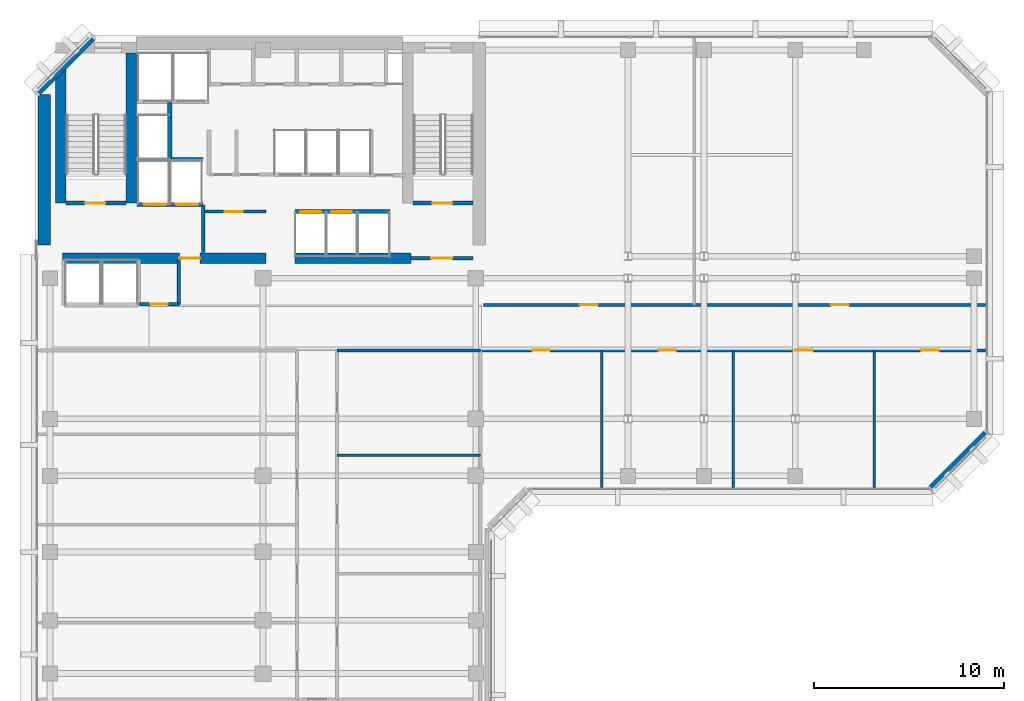
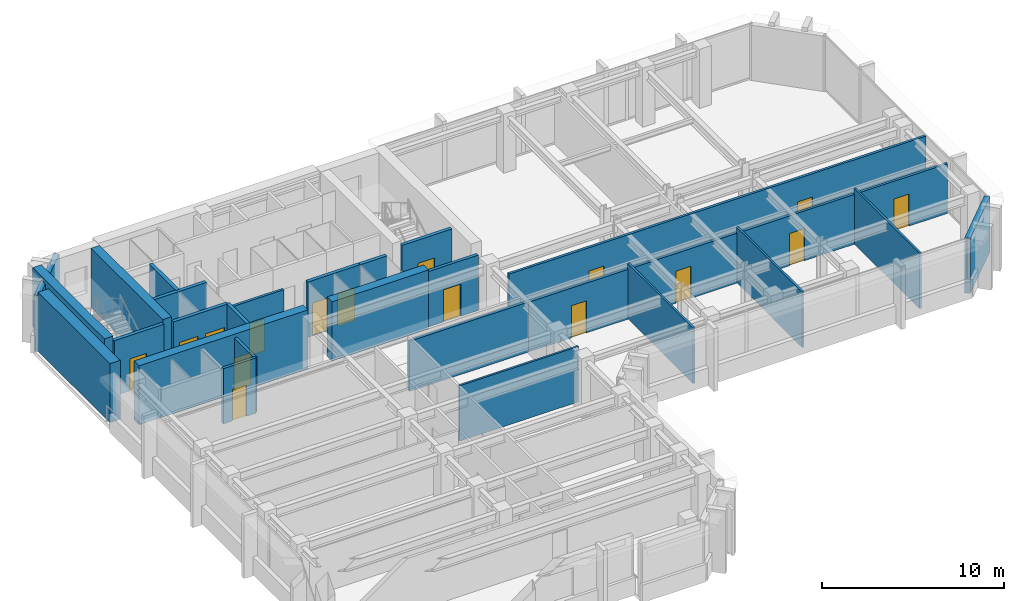
# One storey, part 7 of 12: 26 walls, 16 doors, 16 openings.
"""IFC4 building model written with IfcOpenShell, lengths in metres."""

from ifc_helpers import new_model, si_unit, direction, frame, frame_2d, origin, place, context, subcontext, project, spatial, rectangle, extrude, material, layer, layer_set, type_object, element, fill, save


model = new_model("IFC4")

# Units and contexts
model_context = context("Model", 3, precision=1e-05, world=origin(), true_north=direction((0.0, 1.0)))
body_context = subcontext(model_context, "Body", "Model", "MODEL_VIEW")
ifc_project = project(units=[si_unit("LENGTHUNIT", "METRE"), si_unit("AREAUNIT", "SQUARE_METRE"), si_unit("VOLUMEUNIT", "CUBIC_METRE"), si_unit("PLANEANGLEUNIT", "RADIAN"), si_unit("MASSUNIT", "GRAM", prefix="KILO")], contexts=[model_context])

# Site, building, storey
site_placement = place(None, origin())
site = spatial("IfcSite", under=ifc_project, at=site_placement, CompositionType="ELEMENT")
building_placement = place(site_placement, origin())
building = spatial("IfcBuilding", under=site, at=building_placement, Name="Kefirva Bronze Tower", CompositionType="ELEMENT")
storey_placement = place(building_placement, frame((0.0, 0.0, 211.199951171875)))
storey = spatial("IfcBuildingStorey", under=building, at=storey_placement, Name="L51", CompositionType="ELEMENT", Elevation=211.199951171875)

# Walls
ifc_material_1 = material(Name="Gypsum acoustic partition")
ifc_layer_1 = layer(ifc_material_1, 0.1298828125, Name="Gypsum acoustic partition")
ifc_layer_set_1 = layer_set([ifc_layer_1], Name="Gypsum acoustic partition")
wall_type_1 = type_object("IfcWallType", Name="Acoustic Office Partition 130mm", PredefinedType="PARTITIONING", material=ifc_layer_set_1)
wall_1_placement = place(storey_placement, frame((15.89990234375, 23.89208984375, 0.0), z_axis=(0.0, 0.0, 1.0), x_axis=(1.0, 0.0, 0.0)))
element("IfcWall", 1, at=wall_1_placement, inside=storey, type_object=wall_type_1, Name="L51 Partition W-L51-SED2", PredefinedType="PARTITIONING", context=body_context, shape_type="SweptSolid", body=[
    extrude(rectangle(XDim=7.550048828125, YDim=0.1298828125, at=frame_2d((3.77490234375, 0.0))), origin(), (0.0, 0.0, 1.0), 3.7099609375),
])
for number, where, z_axis, x_axis, name in (
    (2, (29.824462890625, 22.18994140625, 0.0), (0.0, 0.0, 1.0), (0.0, 1.0, 0.0), "L51 Partition W-L51-ESD1"),
    (3, (36.72998046875, 22.18994140625, 0.0), (0.0, 0.0, 1.0), (0.0, 1.0, 0.0), "L51 Partition W-L51-ESD2"),
    (4, (44.166748046875, 22.18994140625, 0.0), (0.0, 0.0, 1.0), (0.0, 1.0, 0.0), "L51 Partition W-L51-ESD3"),
):
    element("IfcWall", number, at=place(storey_placement, frame(where, z_axis=z_axis, x_axis=x_axis)), inside=storey, type_object=wall_type_1, Name=name, PredefinedType="PARTITIONING", context=body_context, shape_type="SweptSolid", body=[
        extrude(rectangle(XDim=7.2099609375, YDim=0.1298828125, at=frame_2d((3.60498046875, 0.0))), origin(), (0.0, 0.0, 1.0), 3.7099609375),
    ])

# Wall, opening, door
ifc_material_2 = material(Name="Gypsum fireboard shaftwall")
ifc_layer_2 = layer(ifc_material_2, 0.219970703125, Name="Gypsum fireboard shaftwall")
ifc_layer_set_2 = layer_set([ifc_layer_2], Name="Gypsum fireboard shaftwall")
wall_type_2 = type_object("IfcWallType", Name="Fire-Rated Shaft Enclosure Wall 220mm", PredefinedType="PARTITIONING", material=ifc_layer_set_2)
wall_2_placement = place(storey_placement, frame((1.64990234375, 37.14990234375, 0.0), z_axis=(0.0, 0.0, 1.0), x_axis=(1.0, 0.0, 0.0)))
wall_2 = element("IfcWall", 5, at=wall_2_placement, inside=storey, type_object=wall_type_2, Name="L51 Partition W-L51-ST1S", PredefinedType="PARTITIONING", context=body_context, shape_type="SweptSolid", body=[
    extrude(rectangle(XDim=3.150146484375, YDim=0.219970703125, at=frame_2d((1.5751953125, 0.0))), origin(), (0.0, 0.0, 1.0), 3.7099609375),
])
opening_1_placement = place(wall_2_placement, frame((2.050048828125, 0.0, 0.0), z_axis=(0.0, 0.0, 1.0), x_axis=(-1.0, 0.0, 0.0)))
opening_1 = element("IfcOpeningElement", 6, at=opening_1_placement, cuts=wall_2, Name="Opening L51-D001", PredefinedType="OPENING", context=body_context, shape_type="SweptSolid", body=[
    extrude(rectangle(XDim=1.050048828125, YDim=2.14990234375, at=frame_2d((0.52490234375, 1.074951171875))), frame((0.0, 0.1201171875, 0.0), z_axis=(0.0, -1.0, 0.0), x_axis=(1.0, 0.0, 0.0)), (0.0, 0.0, 1.0), 0.239990234375),
])
ifc_material_3 = material(Name="Painted galvanized steel", Category="steel")
door_type_1 = type_object("IfcDoorType", Name="Fire Stair Enclosure Door 1050x2150 FD90S", OperationType="NOTDEFINED", PredefinedType="DOOR", material=ifc_material_3)
door_1_placement = place(opening_1_placement, origin())
door_1 = element("IfcDoor", 7, at=door_1_placement, inside=storey, type_object=door_type_1, Name="Door L51-D001", OperationType="SINGLE_SWING_LEFT", OverallHeight=2.14990234375, OverallWidth=1.050048828125, PredefinedType="DOOR", context=body_context, shape_type="SweptSolid", body=[
    extrude(rectangle(XDim=1.050048828125, YDim=2.14990234375, at=frame_2d((0.52490234375, 1.074951171875))), frame((0.0, 0.02490234375, 0.0), z_axis=(0.0, -1.0, 0.0), x_axis=(1.0, 0.0, 0.0)), (0.0, 0.0, 1.0), 0.050048828125),
])
fill(opening_1, door_1)

wall_3_placement = place(storey_placement, frame((19.89990234375, 37.14990234375, 0.0), z_axis=(0.0, 0.0, 1.0), x_axis=(1.0, 0.0, 0.0)))
wall_3 = element("IfcWall", 8, at=wall_3_placement, inside=storey, type_object=wall_type_2, Name="L51 Partition W-L51-ST2S", PredefinedType="PARTITIONING", context=body_context, shape_type="SweptSolid", body=[
    extrude(rectangle(XDim=3.150146484375, YDim=0.219970703125, at=frame_2d((1.5751953125, 0.0))), origin(), (0.0, 0.0, 1.0), 3.7099609375),
])
opening_2_placement = place(wall_3_placement, frame((2.050048828125, 0.0, 0.0), z_axis=(0.0, 0.0, 1.0), x_axis=(-1.0, 0.0, 0.0)))
opening_2 = element("IfcOpeningElement", 9, at=opening_2_placement, cuts=wall_3, Name="Opening L51-D003", PredefinedType="OPENING", context=body_context, shape_type="SweptSolid", body=[
    extrude(rectangle(XDim=1.050048828125, YDim=2.14990234375, at=frame_2d((0.52490234375, 1.074951171875))), frame((0.0, 0.1201171875, 0.0), z_axis=(0.0, -1.0, 0.0), x_axis=(1.0, 0.0, 0.0)), (0.0, 0.0, 1.0), 0.239990234375),
])
door_2_placement = place(opening_2_placement, origin())
door_2 = element("IfcDoor", 10, at=door_2_placement, inside=storey, type_object=door_type_1, Name="Door L51-D003", OperationType="SINGLE_SWING_LEFT", OverallHeight=2.14990234375, OverallWidth=1.050048828125, PredefinedType="DOOR", context=body_context, shape_type="SweptSolid", body=[
    extrude(rectangle(XDim=1.050048828125, YDim=2.14990234375, at=frame_2d((0.52490234375, 1.074951171875))), frame((0.0, 0.02490234375, 0.0), z_axis=(0.0, -1.0, 0.0), x_axis=(1.0, 0.0, 0.0)), (0.0, 0.0, 1.0), 0.050048828125),
])
fill(opening_2, door_2)

# Wall, openings, doors
wall_4_placement = place(storey_placement, frame((5.3798828125, 37.080078125, 0.0), z_axis=(0.0, 0.0, 1.0), x_axis=(1.0, 0.0, 0.0)))
wall_4 = element("IfcWall", 11, at=wall_4_placement, inside=storey, type_object=wall_type_2, Name="L51 Partition W-L51-FFS", PredefinedType="PARTITIONING", context=body_context, shape_type="SweptSolid", body=[
    extrude(rectangle(XDim=3.460205078125, YDim=0.219970703125, at=frame_2d((1.72998046875, 0.0))), origin(), (0.0, 0.0, 1.0), 3.7099609375),
])
opening_3_placement = place(wall_4_placement, frame((1.550048828125, 0.0, 0.0), z_axis=(0.0, 0.0, 1.0), x_axis=(-1.0, 0.0, 0.0)))
opening_3 = element("IfcOpeningElement", 12, at=opening_3_placement, cuts=wall_4, Name="Opening L51-LD-FF1", PredefinedType="OPENING", context=body_context, shape_type="SweptSolid", body=[
    extrude(rectangle(XDim=1.199951171875, YDim=2.199951171875, at=frame_2d((0.60009765625, 1.10009765625))), frame((0.0, 0.1201171875, 0.0), z_axis=(0.0, -1.0, 0.0), x_axis=(1.0, 0.0, 0.0)), (0.0, 0.0, 1.0), 0.239990234375),
])
opening_4_placement = place(wall_4_placement, frame((3.219970703125, 0.0, 0.0), z_axis=(0.0, 0.0, 1.0), x_axis=(-1.0, 0.0, 0.0)))
opening_4 = element("IfcOpeningElement", 13, at=opening_4_placement, cuts=wall_4, Name="Opening L51-LD-FF2", PredefinedType="OPENING", context=body_context, shape_type="SweptSolid", body=[
    extrude(rectangle(XDim=1.199951171875, YDim=2.199951171875, at=frame_2d((0.60009765625, 1.10009765625))), frame((0.0, 0.1201171875, 0.0), z_axis=(0.0, -1.0, 0.0), x_axis=(1.0, 0.0, 0.0)), (0.0, 0.0, 1.0), 0.239990234375),
])
ifc_material_4 = material(Name="Stainless steel 316", Category="steel")
door_type_2 = type_object("IfcDoorType", Name="Firefighting Lift Sliding Door 1200x2200", OperationType="SLIDING_TO_RIGHT", PredefinedType="DOOR", material=ifc_material_4)
door_3_placement = place(opening_3_placement, origin())
door_3 = element("IfcDoor", 14, at=door_3_placement, inside=storey, type_object=door_type_2, Name="Door L51-LD-FF1", OperationType="SLIDING_TO_RIGHT", OverallHeight=2.199951171875, OverallWidth=1.199951171875, PredefinedType="DOOR", context=body_context, shape_type="SweptSolid", body=[
    extrude(rectangle(XDim=1.199951171875, YDim=2.199951171875, at=frame_2d((0.60009765625, 1.10009765625))), frame((0.0, 0.02490234375, 0.0), z_axis=(0.0, -1.0, 0.0), x_axis=(1.0, 0.0, 0.0)), (0.0, 0.0, 1.0), 0.050048828125),
])
fill(opening_3, door_3)
door_4_placement = place(opening_4_placement, origin())
door_4 = element("IfcDoor", 15, at=door_4_placement, inside=storey, type_object=door_type_2, Name="Door L51-LD-FF2", OperationType="SLIDING_TO_RIGHT", OverallHeight=2.199951171875, OverallWidth=1.199951171875, PredefinedType="DOOR", context=body_context, shape_type="SweptSolid", body=[
    extrude(rectangle(XDim=1.199951171875, YDim=2.199951171875, at=frame_2d((0.60009765625, 1.10009765625))), frame((0.0, 0.02490234375, 0.0), z_axis=(0.0, -1.0, 0.0), x_axis=(1.0, 0.0, 0.0)), (0.0, 0.0, 1.0), 0.050048828125),
])
fill(opening_4, door_4)

# Walls
wall_5_placement = place(storey_placement, frame((5.3798828125, 39.449951171875, 0.0), z_axis=(0.0, 0.0, 1.0), x_axis=(1.0, 0.0, 0.0)))
element("IfcWall", 16, at=wall_5_placement, inside=storey, type_object=wall_type_2, Name="L51 Partition W-L51-FFN", PredefinedType="PARTITIONING", context=body_context, shape_type="SweptSolid", body=[
    extrude(rectangle(XDim=3.460205078125, YDim=0.219970703125, at=frame_2d((1.72998046875, 0.0))), origin(), (0.0, 0.0, 1.0), 3.7099609375),
])
wall_6_placement = place(storey_placement, frame((7.10009765625, 39.52001953125, 0.0), z_axis=(0.0, 0.0, 1.0), x_axis=(0.0, 1.0, 0.0)))
element("IfcWall", 17, at=wall_6_placement, inside=storey, type_object=wall_type_2, Name="L51 Partition W-L51-HP3E", PredefinedType="PARTITIONING", context=body_context, shape_type="SweptSolid", body=[
    extrude(rectangle(XDim=2.929931640625, YDim=0.219970703125, at=frame_2d((1.46484375, 0.0))), origin(), (0.0, 0.0, 1.0), 3.7099609375),
])

# Wall, openings, doors
wall_7_placement = place(storey_placement, frame((13.679931640625, 36.699951171875, 0.0), z_axis=(0.0, 0.0, 1.0), x_axis=(1.0, 0.0, 0.0)))
wall_7 = element("IfcWall", 18, at=wall_7_placement, inside=storey, type_object=wall_type_2, Name="L51 Partition W-L51-MPS", PredefinedType="PARTITIONING", context=body_context, shape_type="SweptSolid", body=[
    extrude(rectangle(XDim=3.280029296875, YDim=0.219970703125, at=frame_2d((1.64013671875, 0.0))), origin(), (0.0, 0.0, 1.0), 3.7099609375),
])
opening_5_placement = place(wall_7_placement, frame((0.280029296875, 0.0, 0.0)))
opening_5 = element("IfcOpeningElement", 19, at=opening_5_placement, cuts=wall_7, Name="Opening L51-LD-MP1", PredefinedType="OPENING", context=body_context, shape_type="SweptSolid", body=[
    extrude(rectangle(XDim=1.10009765625, YDim=2.199951171875, at=frame_2d((0.550048828125, 1.10009765625))), frame((0.0, 0.1201171875, 0.0), z_axis=(0.0, -1.0, 0.0), x_axis=(1.0, 0.0, 0.0)), (0.0, 0.0, 1.0), 0.239990234375),
])
opening_6_placement = place(wall_7_placement, frame((1.89990234375, 0.0, 0.0)))
opening_6 = element("IfcOpeningElement", 20, at=opening_6_placement, cuts=wall_7, Name="Opening L51-LD-MP2", PredefinedType="OPENING", context=body_context, shape_type="SweptSolid", body=[
    extrude(rectangle(XDim=1.10009765625, YDim=2.199951171875, at=frame_2d((0.550048828125, 1.10009765625))), frame((0.0, 0.1201171875, 0.0), z_axis=(0.0, -1.0, 0.0), x_axis=(1.0, 0.0, 0.0)), (0.0, 0.0, 1.0), 0.239990234375),
])
door_type_3 = type_object("IfcDoorType", Name="Passenger Lift Sliding Landing Door 1100x2200", OperationType="SLIDING_TO_LEFT", PredefinedType="DOOR", material=ifc_material_4)
door_5_placement = place(opening_5_placement, origin())
door_5 = element("IfcDoor", 21, at=door_5_placement, inside=storey, type_object=door_type_3, Name="Door L51-LD-MP1", OperationType="SLIDING_TO_RIGHT", OverallHeight=2.199951171875, OverallWidth=1.10009765625, PredefinedType="DOOR", context=body_context, shape_type="SweptSolid", body=[
    extrude(rectangle(XDim=1.10009765625, YDim=2.199951171875, at=frame_2d((0.550048828125, 1.10009765625))), frame((0.0, 0.02490234375, 0.0), z_axis=(0.0, -1.0, 0.0), x_axis=(1.0, 0.0, 0.0)), (0.0, 0.0, 1.0), 0.050048828125),
])
fill(opening_5, door_5)
door_6_placement = place(opening_6_placement, origin())
door_6 = element("IfcDoor", 22, at=door_6_placement, inside=storey, type_object=door_type_3, Name="Door L51-LD-MP2", OperationType="SLIDING_TO_RIGHT", OverallHeight=2.199951171875, OverallWidth=1.10009765625, PredefinedType="DOOR", context=body_context, shape_type="SweptSolid", body=[
    extrude(rectangle(XDim=1.10009765625, YDim=2.199951171875, at=frame_2d((0.550048828125, 1.10009765625))), frame((0.0, 0.02490234375, 0.0), z_axis=(0.0, -1.0, 0.0), x_axis=(1.0, 0.0, 0.0)), (0.0, 0.0, 1.0), 0.050048828125),
])
fill(opening_6, door_6)

# Walls
wall_8_placement = place(storey_placement, frame((16.97998046875, 36.699951171875, 0.0), z_axis=(0.0, 0.0, 1.0), x_axis=(1.0, 0.0, 0.0)))
element("IfcWall", 23, at=wall_8_placement, inside=storey, type_object=wall_type_2, Name="L51 Partition W-L51-HPS", PredefinedType="PARTITIONING", context=body_context, shape_type="SweptSolid", body=[
    extrude(rectangle(XDim=1.699951171875, YDim=0.219970703125, at=frame_2d((0.85009765625, 0.0))), origin(), (0.0, 0.0, 1.0), 3.7099609375),
])
ifc_material_5 = material(Name="Gypsum fireboard barrier")
ifc_layer_3 = layer(ifc_material_5, 0.199951171875, Name="Gypsum fireboard barrier")
ifc_layer_set_3 = layer_set([ifc_layer_3], Name="Gypsum fireboard barrier")
wall_type_3 = type_object("IfcWallType", Name="Firefighting Lobby Barrier Wall 200mm", PredefinedType="PARTITIONING", material=ifc_layer_set_3)
wall_9_placement = place(storey_placement, frame((8.860107421875, 34.550048828125, 0.0), z_axis=(0.0, 0.0, 1.0), x_axis=(0.0, 1.0, 0.0)))
element("IfcWall", 24, at=wall_9_placement, inside=storey, type_object=wall_type_3, Name="L51 Partition W-L51-FFLE", PredefinedType="PARTITIONING", context=body_context, shape_type="SweptSolid", body=[
    extrude(rectangle(XDim=2.5, YDim=0.199951171875, at=frame_2d((1.25, 0.0))), origin(), (0.0, 0.0, 1.0), 3.7099609375),
])

# Wall, opening, door
wall_10_placement = place(storey_placement, frame((19.800048828125, 34.25, 0.0), z_axis=(0.0, 0.0, 1.0), x_axis=(1.0, 0.0, 0.0)))
wall_10 = element("IfcWall", 25, at=wall_10_placement, inside=storey, type_object=wall_type_3, Name="L51 Partition W-L51-ST2F", PredefinedType="PARTITIONING", context=body_context, shape_type="SweptSolid", body=[
    extrude(rectangle(XDim=3.25, YDim=0.199951171875, at=frame_2d((1.625, 0.0))), origin(), (0.0, 0.0, 1.0), 3.7099609375),
])
opening_7_placement = place(wall_10_placement, frame((2.150146484375, 0.0, 0.0), z_axis=(0.0, 0.0, 1.0), x_axis=(-1.0, 0.0, 0.0)))
opening_7 = element("IfcOpeningElement", 26, at=opening_7_placement, cuts=wall_10, Name="Opening L51-D004", PredefinedType="OPENING", context=body_context, shape_type="SweptSolid", body=[
    extrude(rectangle(XDim=1.10009765625, YDim=2.14990234375, at=frame_2d((0.550048828125, 1.074951171875))), frame((0.0, 0.10986328125, 0.0), z_axis=(0.0, -1.0, 0.0), x_axis=(1.0, 0.0, 0.0)), (0.0, 0.0, 1.0), 0.219970703125),
])
door_type_4 = type_object("IfcDoorType", Name="Firefighting Lobby Smoke Door 1100x2150 FD60S", OperationType="NOTDEFINED", PredefinedType="DOOR", material=ifc_material_3)
door_7_placement = place(opening_7_placement, origin())
door_7 = element("IfcDoor", 27, at=door_7_placement, inside=storey, type_object=door_type_4, Name="Door L51-D004", OperationType="SINGLE_SWING_RIGHT", OverallHeight=2.14990234375, OverallWidth=1.10009765625, PredefinedType="DOOR", context=body_context, shape_type="SweptSolid", body=[
    extrude(rectangle(XDim=1.10009765625, YDim=2.14990234375, at=frame_2d((0.550048828125, 1.074951171875))), frame((0.0, 0.02490234375, 0.0), z_axis=(0.0, -1.0, 0.0), x_axis=(1.0, 0.0, 0.0)), (0.0, 0.0, 1.0), 0.050048828125),
])
fill(opening_7, door_7)

# Walls
ifc_material_6 = material(Name="Precast concrete C40/50", Category="concrete")
ifc_layer_4 = layer(ifc_material_6, 0.320068359375, Name="Precast concrete C40/50")
ifc_layer_set_4 = layer_set([ifc_layer_4], Name="Precast concrete C40/50")
wall_type_4 = type_object("IfcWallType", Name="Precast Insulated Exterior Wall 320mm", PredefinedType="SOLIDWALL", material=ifc_layer_set_4)
for number, where, z_axis, x_axis, name in (
    (28, (47.125732421875, 22.152099609375, 0.0), (0.0, 0.0, 1.0), (0.707136318428, 0.707077242712, 0.0), "L51 Exterior Facade Wall 7"),
    (29, (3.07421875, 45.847900390625, 0.0), (0.0, 0.0, 1.0), (-0.707106781187, -0.707106781187, 0.0), "L51 Exterior Facade Wall 9"),
):
    element("IfcWall", number, at=place(storey_placement, frame(where, z_axis=z_axis, x_axis=x_axis)), inside=storey, type_object=wall_type_4, Name=name, PredefinedType="SOLIDWALL", context=body_context, shape_type="SweptSolid", body=[
        extrude(rectangle(XDim=4.132568359375, YDim=0.320068359375, at=frame_2d((2.06640625, 0.0))), origin(), (0.0, 0.0, 1.0), 3.7099609375),
    ])

# Wall, opening, door
ifc_layer_5 = layer(ifc_material_1, 0.159912109375, Name="Gypsum acoustic partition")
ifc_layer_set_5 = layer_set([ifc_layer_5], Name="Gypsum acoustic partition")
wall_type_5 = type_object("IfcWallType", Name="Protected Corridor Partition 160mm", PredefinedType="PARTITIONING", material=ifc_layer_set_5)
wall_11_placement = place(storey_placement, frame((8.89990234375, 36.699951171875, 0.0), z_axis=(0.0, 0.0, 1.0), x_axis=(1.0, 0.0, 0.0)))
wall_11 = element("IfcWall", 30, at=wall_11_placement, inside=storey, type_object=wall_type_5, Name="L51 Partition W-L51-RECLP1", PredefinedType="PARTITIONING", context=body_context, shape_type="SweptSolid", body=[
    extrude(rectangle(XDim=3.25, YDim=0.159912109375, at=frame_2d((1.625, 0.0))), origin(), (0.0, 0.0, 1.0), 3.7099609375),
])
opening_8_placement = place(wall_11_placement, frame((1.10009765625, 0.0, 0.0)))
opening_8 = element("IfcOpeningElement", 31, at=opening_8_placement, cuts=wall_11, Name="Opening L51-D-RECLP1", PredefinedType="OPENING", context=body_context, shape_type="SweptSolid", body=[
    extrude(rectangle(XDim=0.949951171875, YDim=2.14990234375, at=frame_2d((0.47509765625, 1.074951171875))), frame((0.0, 0.08984375, 0.0), z_axis=(0.0, -1.0, 0.0), x_axis=(1.0, 0.0, 0.0)), (0.0, 0.0, 1.0), 0.179931640625),
])
ifc_material_7 = material(Name="Acoustic hardwood oak", Category="wood")
door_type_5 = type_object("IfcDoorType", Name="Office & Meeting Room Door 950x2150", OperationType="NOTDEFINED", PredefinedType="DOOR", material=ifc_material_7)
door_8_placement = place(opening_8_placement, origin())
door_8 = element("IfcDoor", 32, at=door_8_placement, inside=storey, type_object=door_type_5, Name="Door L51-D-RECLP1", OperationType="SINGLE_SWING_LEFT", OverallHeight=2.14990234375, OverallWidth=0.949951171875, PredefinedType="DOOR", context=body_context, shape_type="SweptSolid", body=[
    extrude(rectangle(XDim=0.949951171875, YDim=2.14990234375, at=frame_2d((0.47509765625, 1.074951171875))), frame((0.0, 0.02490234375, 0.0), z_axis=(0.0, -1.0, 0.0), x_axis=(1.0, 0.0, 0.0)), (0.0, 0.0, 1.0), 0.050048828125),
])
fill(opening_8, door_8)

# Wall
wall_12_placement = place(storey_placement, frame((15.89990234375, 29.39990234375, 0.0), z_axis=(0.0, 0.0, 1.0), x_axis=(1.0, 0.0, 0.0)))
element("IfcWall", 33, at=wall_12_placement, inside=storey, type_object=wall_type_5, Name="L51 Partition W-L51-NET", PredefinedType="PARTITIONING", context=body_context, shape_type="SweptSolid", body=[
    extrude(rectangle(XDim=7.550048828125, YDim=0.159912109375, at=frame_2d((3.77490234375, 0.0))), origin(), (0.0, 0.0, 1.0), 3.364990234375),
])

# Wall, openings, doors
wall_13_placement = place(storey_placement, frame((23.449951171875, 29.39990234375, 0.0), z_axis=(0.0, 0.0, 1.0), x_axis=(1.0, 0.0, 0.0)))
wall_13 = element("IfcWall", 34, at=wall_13_placement, inside=storey, type_object=wall_type_5, Name="L51 Partition W-L51-EWS", PredefinedType="PARTITIONING", context=body_context, shape_type="SweptSolid", body=[
    extrude(rectangle(XDim=26.56005859375, YDim=0.159912109375, at=frame_2d((13.280029296875, 0.0))), origin(), (0.0, 0.0, 1.0), 3.3349609375),
])
opening_9_placement = place(wall_13_placement, frame((3.662109375, 0.0, 0.0), z_axis=(0.0, 0.0, 1.0), x_axis=(-1.0, 0.0, 0.0)))
opening_9 = element("IfcOpeningElement", 35, at=opening_9_placement, cuts=wall_13, Name="Opening L51-D-ES1", PredefinedType="OPENING", context=body_context, shape_type="SweptSolid", body=[
    extrude(rectangle(XDim=0.949951171875, YDim=2.14990234375, at=frame_2d((0.47509765625, 1.074951171875))), frame((0.0, 0.08984375, 0.0), z_axis=(0.0, -1.0, 0.0), x_axis=(1.0, 0.0, 0.0)), (0.0, 0.0, 1.0), 0.179931640625),
])
opening_10_placement = place(wall_13_placement, frame((10.30224609375, 0.0, 0.0), z_axis=(0.0, 0.0, 1.0), x_axis=(-1.0, 0.0, 0.0)))
opening_10 = element("IfcOpeningElement", 36, at=opening_10_placement, cuts=wall_13, Name="Opening L51-D-ES2", PredefinedType="OPENING", context=body_context, shape_type="SweptSolid", body=[
    extrude(rectangle(XDim=0.949951171875, YDim=2.14990234375, at=frame_2d((0.47509765625, 1.074951171875))), frame((0.0, 0.08984375, 0.0), z_axis=(0.0, -1.0, 0.0), x_axis=(1.0, 0.0, 0.0)), (0.0, 0.0, 1.0), 0.179931640625),
])
opening_11_placement = place(wall_13_placement, frame((17.473388671875, 0.0, 0.0), z_axis=(0.0, 0.0, 1.0), x_axis=(-1.0, 0.0, 0.0)))
opening_11 = element("IfcOpeningElement", 37, at=opening_11_placement, cuts=wall_13, Name="Opening L51-D-ES3", PredefinedType="OPENING", context=body_context, shape_type="SweptSolid", body=[
    extrude(rectangle(XDim=0.949951171875, YDim=2.14990234375, at=frame_2d((0.47509765625, 1.074951171875))), frame((0.0, 0.08984375, 0.0), z_axis=(0.0, -1.0, 0.0), x_axis=(1.0, 0.0, 0.0)), (0.0, 0.0, 1.0), 0.179931640625),
])
opening_12_placement = place(wall_13_placement, frame((24.11328125, 0.0, 0.0), z_axis=(0.0, 0.0, 1.0), x_axis=(-1.0, 0.0, 0.0)))
opening_12 = element("IfcOpeningElement", 38, at=opening_12_placement, cuts=wall_13, Name="Opening L51-D-ES4", PredefinedType="OPENING", context=body_context, shape_type="SweptSolid", body=[
    extrude(rectangle(XDim=0.949951171875, YDim=2.14990234375, at=frame_2d((0.47509765625, 1.074951171875))), frame((0.0, 0.08984375, 0.0), z_axis=(0.0, -1.0, 0.0), x_axis=(1.0, 0.0, 0.0)), (0.0, 0.0, 1.0), 0.179931640625),
])
door_9_placement = place(opening_9_placement, origin())
door_9 = element("IfcDoor", 39, at=door_9_placement, inside=storey, type_object=door_type_5, Name="Door L51-D-ES1", OperationType="SINGLE_SWING_RIGHT", OverallHeight=2.14990234375, OverallWidth=0.949951171875, PredefinedType="DOOR", context=body_context, shape_type="SweptSolid", body=[
    extrude(rectangle(XDim=0.949951171875, YDim=2.14990234375, at=frame_2d((0.47509765625, 1.074951171875))), frame((0.0, 0.02490234375, 0.0), z_axis=(0.0, -1.0, 0.0), x_axis=(1.0, 0.0, 0.0)), (0.0, 0.0, 1.0), 0.050048828125),
])
fill(opening_9, door_9)
door_10_placement = place(opening_10_placement, origin())
door_10 = element("IfcDoor", 40, at=door_10_placement, inside=storey, type_object=door_type_5, Name="Door L51-D-ES2", OperationType="SINGLE_SWING_LEFT", OverallHeight=2.14990234375, OverallWidth=0.949951171875, PredefinedType="DOOR", context=body_context, shape_type="SweptSolid", body=[
    extrude(rectangle(XDim=0.949951171875, YDim=2.14990234375, at=frame_2d((0.47509765625, 1.074951171875))), frame((0.0, 0.02490234375, 0.0), z_axis=(0.0, -1.0, 0.0), x_axis=(1.0, 0.0, 0.0)), (0.0, 0.0, 1.0), 0.050048828125),
])
fill(opening_10, door_10)
door_11_placement = place(opening_11_placement, origin())
door_11 = element("IfcDoor", 41, at=door_11_placement, inside=storey, type_object=door_type_5, Name="Door L51-D-ES3", OperationType="SINGLE_SWING_RIGHT", OverallHeight=2.14990234375, OverallWidth=0.949951171875, PredefinedType="DOOR", context=body_context, shape_type="SweptSolid", body=[
    extrude(rectangle(XDim=0.949951171875, YDim=2.14990234375, at=frame_2d((0.47509765625, 1.074951171875))), frame((0.0, 0.02490234375, 0.0), z_axis=(0.0, -1.0, 0.0), x_axis=(1.0, 0.0, 0.0)), (0.0, 0.0, 1.0), 0.050048828125),
])
fill(opening_11, door_11)
door_12_placement = place(opening_12_placement, origin())
door_12 = element("IfcDoor", 42, at=door_12_placement, inside=storey, type_object=door_type_5, Name="Door L51-D-ES4", OperationType="SINGLE_SWING_LEFT", OverallHeight=2.14990234375, OverallWidth=0.949951171875, PredefinedType="DOOR", context=body_context, shape_type="SweptSolid", body=[
    extrude(rectangle(XDim=0.949951171875, YDim=2.14990234375, at=frame_2d((0.47509765625, 1.074951171875))), frame((0.0, 0.02490234375, 0.0), z_axis=(0.0, -1.0, 0.0), x_axis=(1.0, 0.0, 0.0)), (0.0, 0.0, 1.0), 0.050048828125),
])
fill(opening_12, door_12)

wall_14_placement = place(storey_placement, frame((23.60009765625, 31.800048828125, 0.0), z_axis=(0.0, 0.0, 1.0), x_axis=(1.0, 0.0, 0.0)))
wall_14 = element("IfcWall", 43, at=wall_14_placement, inside=storey, type_object=wall_type_5, Name="L51 Partition W-L51-EWN", PredefinedType="PARTITIONING", context=body_context, shape_type="SweptSolid", body=[
    extrude(rectangle(XDim=26.409912109375, YDim=0.159912109375, at=frame_2d((13.205078125, 0.0))), origin(), (0.0, 0.0, 1.0), 3.7099609375),
])
opening_13_placement = place(wall_14_placement, frame((5.071044921875, 0.0, 0.0)))
opening_13 = element("IfcOpeningElement", 44, at=opening_13_placement, cuts=wall_14, Name="Opening L51-D-EN1", PredefinedType="OPENING", context=body_context, shape_type="SweptSolid", body=[
    extrude(rectangle(XDim=0.949951171875, YDim=2.14990234375, at=frame_2d((0.47509765625, 1.074951171875))), frame((0.0, 0.08984375, 0.0), z_axis=(0.0, -1.0, 0.0), x_axis=(1.0, 0.0, 0.0)), (0.0, 0.0, 1.0), 0.179931640625),
])
opening_14_placement = place(wall_14_placement, frame((18.276123046875, 0.0, 0.0)))
opening_14 = element("IfcOpeningElement", 45, at=opening_14_placement, cuts=wall_14, Name="Opening L51-D-EN2", PredefinedType="OPENING", context=body_context, shape_type="SweptSolid", body=[
    extrude(rectangle(XDim=0.949951171875, YDim=2.14990234375, at=frame_2d((0.47509765625, 1.074951171875))), frame((0.0, 0.08984375, 0.0), z_axis=(0.0, -1.0, 0.0), x_axis=(1.0, 0.0, 0.0)), (0.0, 0.0, 1.0), 0.179931640625),
])
door_13_placement = place(opening_13_placement, origin())
door_13 = element("IfcDoor", 46, at=door_13_placement, inside=storey, type_object=door_type_5, Name="Door L51-D-EN1", OperationType="SINGLE_SWING_RIGHT", OverallHeight=2.14990234375, OverallWidth=0.949951171875, PredefinedType="DOOR", context=body_context, shape_type="SweptSolid", body=[
    extrude(rectangle(XDim=0.949951171875, YDim=2.14990234375, at=frame_2d((0.47509765625, 1.074951171875))), frame((0.0, 0.02490234375, 0.0), z_axis=(0.0, -1.0, 0.0), x_axis=(1.0, 0.0, 0.0)), (0.0, 0.0, 1.0), 0.050048828125),
])
fill(opening_13, door_13)
door_14_placement = place(opening_14_placement, origin())
door_14 = element("IfcDoor", 47, at=door_14_placement, inside=storey, type_object=door_type_5, Name="Door L51-D-EN2", OperationType="SINGLE_SWING_LEFT", OverallHeight=2.14990234375, OverallWidth=0.949951171875, PredefinedType="DOOR", context=body_context, shape_type="SweptSolid", body=[
    extrude(rectangle(XDim=0.949951171875, YDim=2.14990234375, at=frame_2d((0.47509765625, 1.074951171875))), frame((0.0, 0.02490234375, 0.0), z_axis=(0.0, -1.0, 0.0), x_axis=(1.0, 0.0, 0.0)), (0.0, 0.0, 1.0), 0.050048828125),
])
fill(opening_14, door_14)

# Walls
ifc_material_8 = material(Name="Concrete C50/60", Category="concrete")
ifc_layer_6 = layer(ifc_material_8, 0.64990234375, Name="Concrete C50/60")
ifc_layer_set_6 = layer_set([ifc_layer_6], Name="Concrete C50/60")
wall_type_6 = type_object("IfcWallType", Name="RC Rear Core Exterior Wall 650mm", PredefinedType="SHEAR", material=ifc_layer_set_6)
wall_15_placement = place(storey_placement, frame((0.5, 34.949951171875, 0.0), z_axis=(0.0, 0.0, 1.0), x_axis=(0.0, 1.0, 0.0)))
element("IfcWall", 48, at=wall_15_placement, inside=storey, type_object=wall_type_6, Name="L51 Rear Core West Shear Wall", PredefinedType="SHEAR", context=body_context, shape_type="SweptSolid", body=[
    extrude(rectangle(XDim=7.900146484375, YDim=0.64990234375, at=frame_2d((3.9501953125, 0.0))), origin(), (0.0, 0.0, 1.0), 3.9599609375),
])
ifc_layer_7 = layer(ifc_material_8, 0.550048828125, Name="Concrete C50/60")
ifc_layer_set_7 = layer_set([ifc_layer_7], Name="Concrete C50/60")
wall_type_7 = type_object("IfcWallType", Name="RC Rear Core Interior Wall 550mm", PredefinedType="SHEAR", material=ifc_layer_set_7)
for number, where, z_axis, x_axis, name in (
    (49, (1.3701171875, 37.14990234375, 0.0), (0.0, 0.0, 1.0), (0.0, 1.0, 0.0), "L51 Stair 1 West Shear Wall"),
    (50, (5.070068359375, 37.14990234375, 0.0), (0.0, 0.0, 1.0), (0.0, 1.0, 0.0), "L51 Stair 1 East Shear Wall"),
):
    element("IfcWall", number, at=place(storey_placement, frame(where, z_axis=z_axis, x_axis=x_axis)), inside=storey, type_object=wall_type_7, Name=name, PredefinedType="SHEAR", context=body_context, shape_type="SweptSolid", body=[
        extrude(rectangle(XDim=7.89013671875, YDim=0.550048828125, at=frame_2d((3.945068359375, 0.0))), origin(), (0.0, 0.0, 1.0), 3.9599609375),
    ])

# Wall, opening, door
ifc_layer_8 = layer(ifc_material_8, 0.64990234375, Name="Concrete C50/60")
ifc_layer_set_8 = layer_set([ifc_layer_8], Name="Concrete C50/60")
wall_type_8 = type_object("IfcWallType", Name="RC Rear Core Interior Wall 650mm", PredefinedType="SHEAR", material=ifc_layer_set_8)
wall_16_placement = place(storey_placement, frame((1.449951171875, 34.25, 0.0), z_axis=(0.0, 0.0, 1.0), x_axis=(1.0, 0.0, 0.0)))
wall_16 = element("IfcWall", 51, at=wall_16_placement, inside=storey, type_object=wall_type_8, Name="L51 Rear Core South-West Shear Wall", PredefinedType="SHEAR", context=body_context, shape_type="SweptSolid", body=[
    extrude(rectangle(XDim=10.7099609375, YDim=0.550048828125, at=frame_2d((5.35498046875, 0.0))), origin(), (0.0, 0.0, 1.0), 3.9599609375),
])
opening_15_placement = place(wall_16_placement, frame((7.25, 0.0, 0.0), z_axis=(0.0, 0.0, 1.0), x_axis=(-1.0, 0.0, 0.0)))
opening_15 = element("IfcOpeningElement", 52, at=opening_15_placement, cuts=wall_16, Name="Opening L51-D002", PredefinedType="OPENING", context=body_context, shape_type="SweptSolid", body=[
    extrude(rectangle(XDim=1.10009765625, YDim=2.14990234375, at=frame_2d((0.550048828125, 1.074951171875))), frame((0.0, 0.28515625, 0.0), z_axis=(0.0, -1.0, 0.0), x_axis=(1.0, 0.0, 0.0)), (0.0, 0.0, 1.0), 0.570068359375),
])
door_15_placement = place(opening_15_placement, origin())
door_15 = element("IfcDoor", 53, at=door_15_placement, inside=storey, type_object=door_type_4, Name="Door L51-D002", OperationType="SINGLE_SWING_RIGHT", OverallHeight=2.14990234375, OverallWidth=1.10009765625, PredefinedType="DOOR", context=body_context, shape_type="SweptSolid", body=[
    extrude(rectangle(XDim=1.10009765625, YDim=2.14990234375, at=frame_2d((0.550048828125, 1.074951171875))), frame((0.0, 0.02490234375, 0.0), z_axis=(0.0, -1.0, 0.0), x_axis=(1.0, 0.0, 0.0)), (0.0, 0.0, 1.0), 0.050048828125),
])
fill(opening_15, door_15)

# Wall
wall_17_placement = place(storey_placement, frame((13.679931640625, 34.25, 0.0), z_axis=(0.0, 0.0, 1.0), x_axis=(1.0, 0.0, 0.0)))
element("IfcWall", 54, at=wall_17_placement, inside=storey, type_object=wall_type_8, Name="L51 Rear Core South-East Shear Wall", PredefinedType="SHEAR", context=body_context, shape_type="SweptSolid", body=[
    extrude(rectangle(XDim=6.1201171875, YDim=0.550048828125, at=frame_2d((3.06005859375, 0.0))), origin(), (0.0, 0.0, 1.0), 3.9599609375),
])

# Wall, opening, door
ifc_material_9 = material(Name="Moisture-resistant partition")
ifc_layer_9 = layer(ifc_material_9, 0.179931640625, Name="Moisture-resistant partition")
ifc_layer_set_9 = layer_set([ifc_layer_9], Name="Moisture-resistant partition")
wall_type_9 = type_object("IfcWallType", Name="Sanitary Plumbing Chase Wall 180mm", PredefinedType="PLUMBINGWALL", material=ifc_layer_set_9)
wall_18_placement = place(storey_placement, frame((5.5, 31.820068359375, 0.0), z_axis=(0.0, 0.0, 1.0), x_axis=(1.0, 0.0, 0.0)))
wall_18 = element("IfcWall", 55, at=wall_18_placement, inside=storey, type_object=wall_type_9, Name="L51 Partition W-L51-TCS", PredefinedType="PLUMBINGWALL", context=body_context, shape_type="SweptSolid", body=[
    extrude(rectangle(XDim=2.080078125, YDim=0.179931640625, at=frame_2d((1.0400390625, 0.0))), origin(), (0.0, 0.0, 1.0), 3.7099609375),
])
opening_16_placement = place(wall_18_placement, frame((1.47998046875, 0.0, 0.0), z_axis=(0.0, 0.0, 1.0), x_axis=(-1.0, 0.0, 0.0)))
opening_16 = element("IfcOpeningElement", 56, at=opening_16_placement, cuts=wall_18, Name="Opening L51-D-TCL1", PredefinedType="OPENING", context=body_context, shape_type="SweptSolid", body=[
    extrude(rectangle(XDim=0.89990234375, YDim=2.10009765625, at=frame_2d((0.449951171875, 1.050048828125))), frame((0.0, 0.10009765625, 0.0), z_axis=(0.0, -1.0, 0.0), x_axis=(1.0, 0.0, 0.0)), (0.0, 0.0, 1.0), 0.199951171875),
])
door_type_6 = type_object("IfcDoorType", Name="Telecom & Meter Fire Door 900x2100 FD60S", OperationType="NOTDEFINED", PredefinedType="DOOR", material=ifc_material_3)
door_16_placement = place(opening_16_placement, origin())
door_16 = element("IfcDoor", 57, at=door_16_placement, inside=storey, type_object=door_type_6, Name="Door L51-D-TCL1", OperationType="SINGLE_SWING_RIGHT", OverallHeight=2.10009765625, OverallWidth=0.89990234375, PredefinedType="DOOR", context=body_context, shape_type="SweptSolid", body=[
    extrude(rectangle(XDim=0.89990234375, YDim=2.10009765625, at=frame_2d((0.449951171875, 1.050048828125))), frame((0.0, 0.02490234375, 0.0), z_axis=(0.0, -1.0, 0.0), x_axis=(1.0, 0.0, 0.0)), (0.0, 0.0, 1.0), 0.050048828125),
])
fill(opening_16, door_16)

# Wall
wall_19_placement = place(storey_placement, frame((7.580078125, 31.820068359375, 0.0), z_axis=(0.0, 0.0, 1.0), x_axis=(0.0, 1.0, 0.0)))
element("IfcWall", 58, at=wall_19_placement, inside=storey, type_object=wall_type_9, Name="L51 Partition W-L51-TCE", PredefinedType="PLUMBINGWALL", context=body_context, shape_type="SweptSolid", body=[
    extrude(rectangle(XDim=2.35986328125, YDim=0.179931640625, at=frame_2d((1.179931640625, 0.0))), origin(), (0.0, 0.0, 1.0), 3.7099609375),
])

save(model, "model.ifc")
